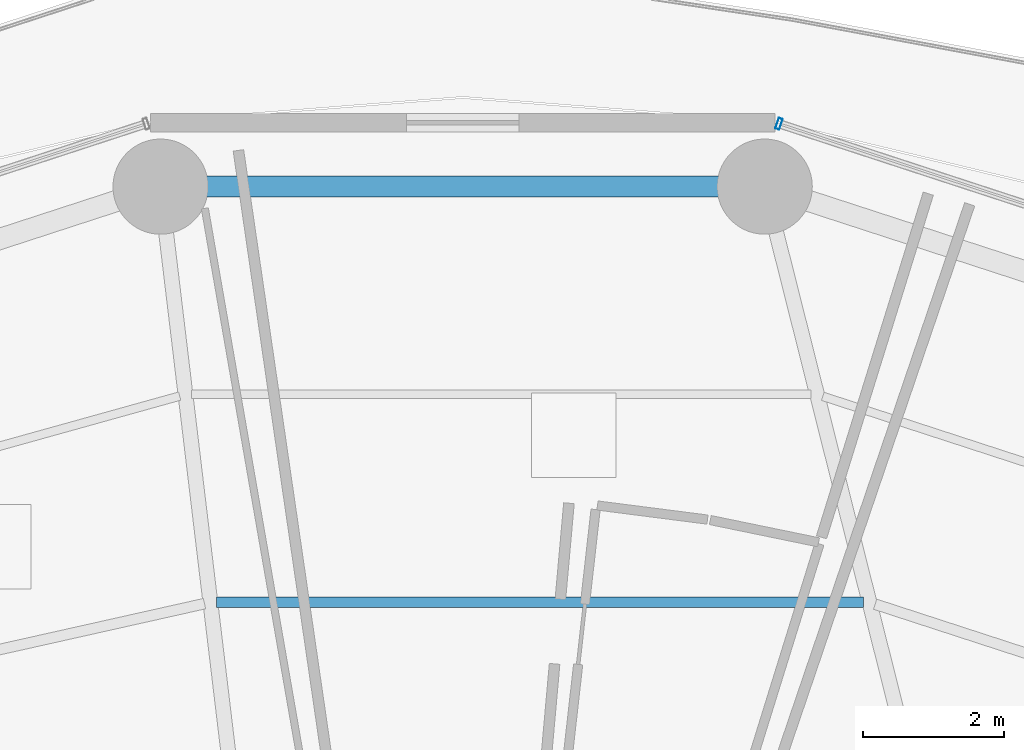
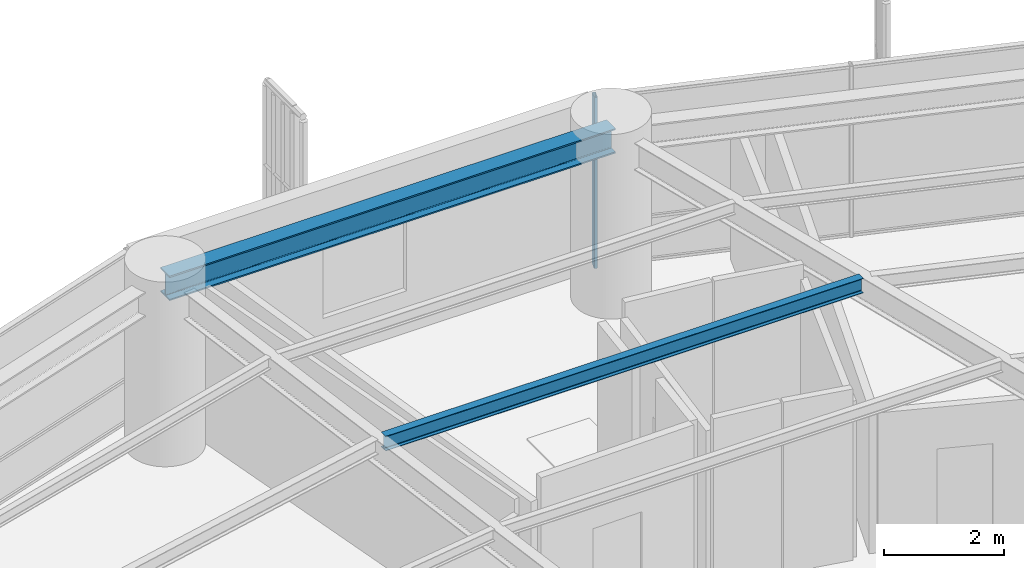
# One storey, part 22 of 35: 2 beams, 1 member, 1 element without a shape of its own.
"""IFC4 building model written with IfcOpenShell, lengths in metres."""

from ifc_helpers import new_model, si_unit, direction, frame, origin, origin_2d, place, context, subcontext, project, spatial, hollow_rectangle, i_section, extrude, material, layer, layer_set, material_profile, profile_set, type_object, element, aggregate, save


model = new_model("IFC4")

# Units and contexts
model_context = context("Model", 3, precision=1e-05, world=origin(), true_north=direction((0.0, 1.0)))
body_context = subcontext(model_context, "Body", "Model", "MODEL_VIEW")
ifc_project = project(units=[si_unit("LENGTHUNIT", "METRE"), si_unit("AREAUNIT", "SQUARE_METRE"), si_unit("VOLUMEUNIT", "CUBIC_METRE"), si_unit("PLANEANGLEUNIT", "RADIAN"), si_unit("MASSUNIT", "GRAM", prefix="KILO")], contexts=[model_context])

# Site, building, storey
site_placement = place(None, origin())
site = spatial("IfcSite", under=ifc_project, at=site_placement, CompositionType="ELEMENT")
building_placement = place(site_placement, origin())
building = spatial("IfcBuilding", under=site, at=building_placement, Name="Kelanora Arch Commons", CompositionType="ELEMENT")
storey_placement = place(building_placement, frame((0.0, 0.0, 91.35009765625)))
storey = spatial("IfcBuildingStorey", under=building, at=storey_placement, Name="L23", CompositionType="ELEMENT", Elevation=91.35009765625)

# Beams
ifc_material_1 = material(Name="Steel S355", Category="steel")
ifc_material_profile_1 = material_profile(ifc_material_1, i_section(OverallWidth=0.14990234375, OverallDepth=0.300048828125, WebThickness=0.007080078125, FlangeThickness=0.0107421875, FilletRadius=0.014892578125, at=origin_2d()), Name="IPE300")
ifc_profile_set_1 = profile_set([ifc_material_profile_1], Name="Steel S355")
beam_type_1 = type_object("IfcBeamType", Name="BM-JST-01", PredefinedType="JOIST", material=ifc_profile_set_1)
beam_1_placement = place(storey_placement, frame((79.686279296875, 73.8466796875, 3.33984375), z_axis=(-1.0, 0.0, 0.0), x_axis=(0.0, -1.0, 0.0)))
element("IfcBeam", 1, at=beam_1_placement, inside=storey, type_object=beam_type_1, Name="Secondary Chord Joist BJB-08 L23", PredefinedType="JOIST", context=body_context, shape_type="SweptSolid", body=[
    extrude(i_section(OverallWidth=0.14990234375, OverallDepth=0.300048828125, WebThickness=0.007080078125, FlangeThickness=0.0107421875, FilletRadius=0.014892578125, at=origin_2d()), origin(), (0.0, 0.0, 1.0), 9.1806640625),
])
ifc_material_profile_2 = material_profile(ifc_material_1, i_section(OverallWidth=0.300048828125, OverallDepth=0.5, WebThickness=0.014404296875, FlangeThickness=0.028076171875, FilletRadius=0.027099609375, at=origin_2d()), Name="HEB500")
ifc_profile_set_2 = profile_set([ifc_material_profile_2], Name="Steel S355")
beam_type_2 = type_object("IfcBeamType", Name="BM-SPN-Z2", PredefinedType="SPANDREL", material=ifc_profile_set_2)
beam_2_placement = place(storey_placement, frame((78.28564453125, 79.74462890625, 3.239990234375), z_axis=(-1.0, 0.0, 0.0), x_axis=(0.0, -1.0, 0.0)))
element("IfcBeam", 2, at=beam_2_placement, inside=storey, type_object=beam_type_2, Name="Perimeter Spandrel Beam BS-08 L23", PredefinedType="SPANDREL", context=body_context, shape_type="SweptSolid", body=[
    extrude(i_section(OverallWidth=0.300048828125, OverallDepth=0.5, WebThickness=0.014404296875, FlangeThickness=0.028076171875, FilletRadius=0.027099609375, at=origin_2d()), origin(), (0.0, 0.0, 1.0), 8.5712890625),
])

# Curtain wall, member
ifc_material_2 = material(Name="Terracotta ceramic-fritted low-E glass and aluminium", Category="masonry")
ifc_layer = layer(ifc_material_2, 0.159912109375)
ifc_layer_set = layer_set([ifc_layer], Name="Terracotta ceramic-fritted low-E glass and aluminium")
curtain_wall_type = type_object("IfcCurtainWallType", Name="CW-SYS-01", PredefinedType="NOTDEFINED", material=ifc_layer_set)
curtain_wall_placement = place(storey_placement, origin())
curtain_wall = element("IfcCurtainWall", 3, at=curtain_wall_placement, inside=storey, type_object=curtain_wall_type, Name="Unitised Curtain Wall L23-B03", PredefinedType="NOTDEFINED")
ifc_material_3 = material(Name="Powder-coated aluminium terracotta", Category="masonry")
ifc_material_profile_3 = material_profile(ifc_material_3, hollow_rectangle(XDim=0.159912109375, YDim=0.06005859375, WallThickness=0.0048828125, InnerFilletRadius=0.0048828125, OuterFilletRadius=0.010009765625, at=origin_2d()), Name="CWM160x60")
ifc_profile_set_3 = profile_set([ifc_material_profile_3], Name="Powder-coated aluminium terracotta")
member_type = type_object("IfcMemberType", Name="CWM-STD", PredefinedType="MULLION", material=ifc_profile_set_3)
member_placement = place(storey_placement, frame((78.48828125, 80.636474609375, 0.0), z_axis=(0.0, 0.0, 1.0), x_axis=(-0.31080470294, -0.950473795867, 0.0)))
member = element("IfcMember", 4, at=member_placement, type_object=member_type, Name="CW-01 mullion 3", PredefinedType="MULLION", context=body_context, shape_type="SweptSolid", body=[
    extrude(hollow_rectangle(XDim=0.159912109375, YDim=0.06005859375, WallThickness=0.0048828125, InnerFilletRadius=0.0048828125, OuterFilletRadius=0.010009765625, at=origin_2d()), origin(), (0.0, 0.0, 1.0), 3.474853515625),
])
aggregate(curtain_wall, [member])

save(model, "model.ifc")
